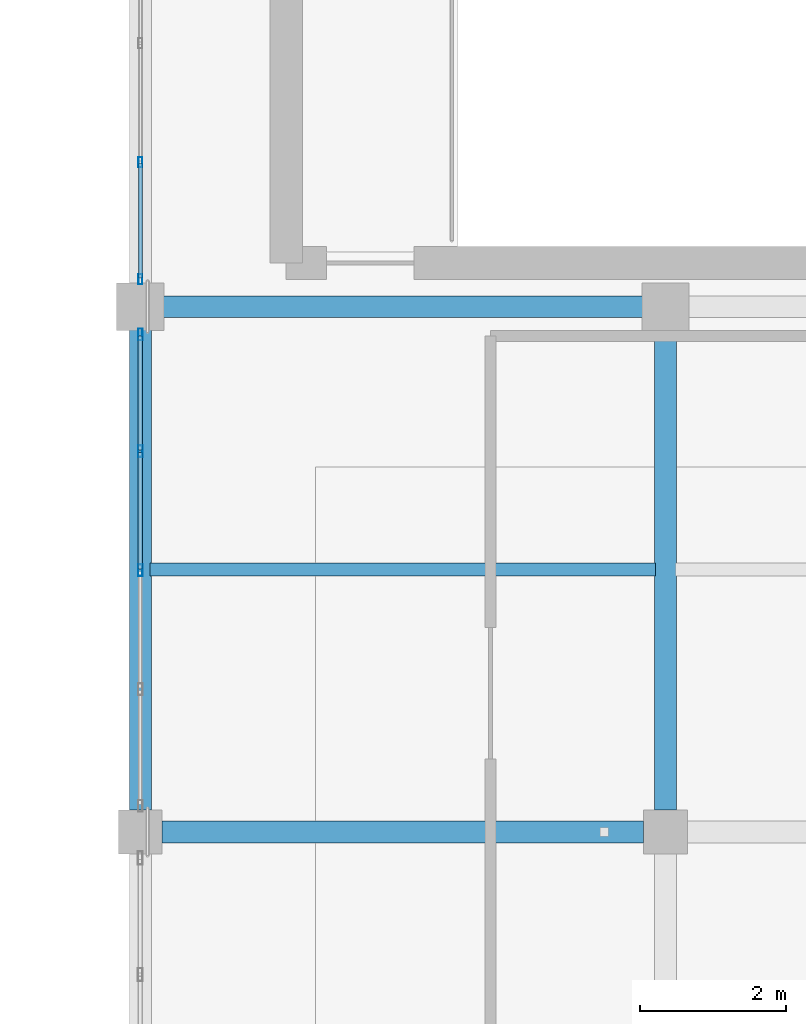
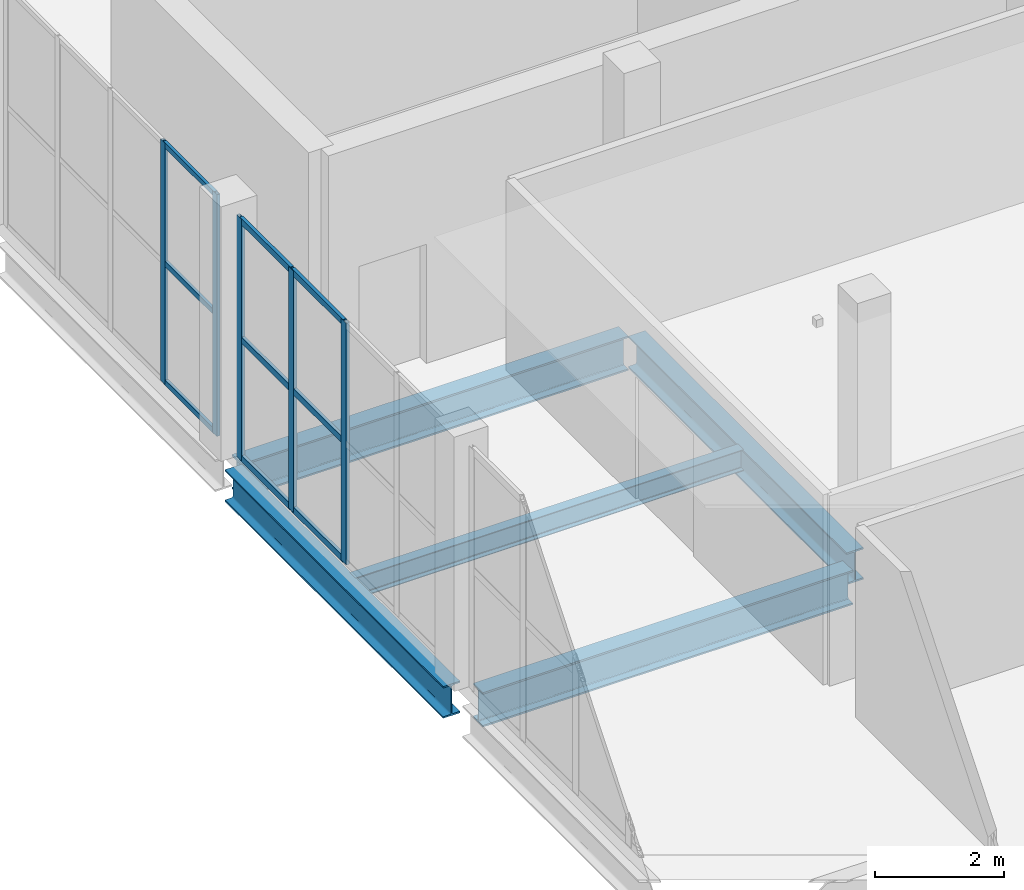
# One storey, part 61 of 105: 14 members, 5 beams, 2 elements without a shape of their own.
"""IFC4 building model written with IfcOpenShell, lengths in metres."""

from ifc_helpers import new_model, si_unit, direction, frame, origin, origin_2d, place, context, subcontext, project, spatial, hollow_rectangle, i_section, extrude, material, material_profile, profile_set, type_object, element, aggregate, save


model = new_model("IFC4")

# Units and contexts
model_context = context("Model", 3, precision=1e-05, world=origin(), true_north=direction((0.0, 1.0)))
body_context = subcontext(model_context, "Body", "Model", "MODEL_VIEW")
ifc_project = project(units=[si_unit("LENGTHUNIT", "METRE"), si_unit("AREAUNIT", "SQUARE_METRE"), si_unit("VOLUMEUNIT", "CUBIC_METRE"), si_unit("PLANEANGLEUNIT", "RADIAN"), si_unit("MASSUNIT", "GRAM", prefix="KILO")], contexts=[model_context])

# Site, building, storey
site_placement = place(None, origin())
site = spatial("IfcSite", under=ifc_project, at=site_placement, CompositionType="ELEMENT")
building_placement = place(site_placement, origin())
building = spatial("IfcBuilding", under=site, at=building_placement, Name="Qandorah Velis Arena", CompositionType="ELEMENT")
storey_placement = place(building_placement, frame((0.0, 0.0, 13.800048828125)))
storey = spatial("IfcBuildingStorey", under=building, at=storey_placement, Name="L03", CompositionType="ELEMENT", Elevation=13.800048828125)

# Curtain wall, members
ifc_material_1 = material(Name="Solar-control low-E double glazing", Category="glass")
curtain_wall_type_1 = type_object("IfcCurtainWallType", Name="ARC-CW-SYS12", PredefinedType="USERDEFINED", material=ifc_material_1)
curtain_wall_1_placement = place(storey_placement, origin())
curtain_wall_1 = element("IfcCurtainWall", 1, at=curtain_wall_1_placement, inside=storey, type_object=curtain_wall_type_1, Name="Unitised curtain wall L03-132", ObjectType="UNITISED CURTAIN WALL", PredefinedType="USERDEFINED")
ifc_material_2 = material(Name="Champagne-bronze anodized aluminium 6063-T6", Category="aluminium")
ifc_material_profile_1 = material_profile(ifc_material_2, hollow_rectangle(XDim=0.054931640625, YDim=0.139892578125, WallThickness=0.0029296875, at=origin_2d()), Name="ALU MULLION 55x140")
ifc_profile_set_1 = profile_set([ifc_material_profile_1], Name="Champagne-bronze anodized aluminium 6063-T6")
member_type_1 = type_object("IfcMemberType", Name="ARC-CWM-140", PredefinedType="MULLION", material=ifc_profile_set_1)
member_1_placement = place(storey_placement, frame((151.199951171875, 79.577392578125, -0.01513671875), z_axis=(0.0, 0.0, 1.0), x_axis=(-1.0, 0.0, 0.0)))
member_1 = element("IfcMember", 2, at=member_1_placement, type_object=member_type_1, Name="CW12 mullion 1", PredefinedType="MULLION", context=body_context, shape_type="SweptSolid", body=[
    extrude(hollow_rectangle(XDim=0.054931640625, YDim=0.139892578125, WallThickness=0.0029296875, at=origin_2d()), origin(), (0.0, 0.0, 1.0), 4.56005859375),
])
member_2_placement = place(storey_placement, frame((151.199951171875, 81.18115234375, -0.01513671875), z_axis=(0.0, 0.0, 1.0), x_axis=(-1.0, 0.0, 0.0)))
member_2 = element("IfcMember", 3, at=member_2_placement, type_object=member_type_1, Name="CW12 mullion 2", PredefinedType="MULLION", context=body_context, shape_type="SweptSolid", body=[
    extrude(hollow_rectangle(XDim=0.054931640625, YDim=0.139892578125, WallThickness=0.0029296875, at=origin_2d()), origin(), (0.0, 0.0, 1.0), 4.56005859375),
])

curtain_wall_type_2 = type_object("IfcCurtainWallType", Name="ARC-CW-SYS11", PredefinedType="USERDEFINED", material=ifc_material_1)
curtain_wall_2_placement = place(storey_placement, origin())
curtain_wall_2 = element("IfcCurtainWall", 4, at=curtain_wall_2_placement, inside=storey, type_object=curtain_wall_type_2, Name="Unitised curtain wall L03-131", ObjectType="UNITISED CURTAIN WALL", PredefinedType="USERDEFINED")
ifc_material_profile_2 = material_profile(ifc_material_2, hollow_rectangle(XDim=0.06005859375, YDim=0.159912109375, WallThickness=0.00341796875, at=origin_2d()), Name="ALU MULLION 60x160")
ifc_profile_set_2 = profile_set([ifc_material_profile_2], Name="Champagne-bronze anodized aluminium 6063-T6")
member_type_2 = type_object("IfcMemberType", Name="ARC-CWM-160", PredefinedType="MULLION", material=ifc_profile_set_2)
member_3_placement = place(storey_placement, frame((151.199951171875, 75.58740234375, -0.01513671875), z_axis=(0.0, 0.0, 1.0), x_axis=(-1.0, 0.0, 0.0)))
member_3 = element("IfcMember", 5, at=member_3_placement, type_object=member_type_2, Name="CW11 mullion 3", PredefinedType="MULLION", context=body_context, shape_type="SweptSolid", body=[
    extrude(hollow_rectangle(XDim=0.06005859375, YDim=0.159912109375, WallThickness=0.00341796875, at=origin_2d()), origin(), (0.0, 0.0, 1.0), 4.56005859375),
])
member_4_placement = place(storey_placement, frame((151.199951171875, 77.21875, -0.01513671875), z_axis=(0.0, 0.0, 1.0), x_axis=(-1.0, 0.0, 0.0)))
member_4 = element("IfcMember", 6, at=member_4_placement, type_object=member_type_2, Name="CW11 mullion 4", PredefinedType="MULLION", context=body_context, shape_type="SweptSolid", body=[
    extrude(hollow_rectangle(XDim=0.06005859375, YDim=0.159912109375, WallThickness=0.00341796875, at=origin_2d()), origin(), (0.0, 0.0, 1.0), 4.56005859375),
])
member_5_placement = place(storey_placement, frame((151.199951171875, 78.820068359375, -0.01513671875), z_axis=(0.0, 0.0, 1.0), x_axis=(-1.0, 0.0, 0.0)))
member_5 = element("IfcMember", 7, at=member_5_placement, type_object=member_type_2, Name="CW11 mullion 5", PredefinedType="MULLION", context=body_context, shape_type="SweptSolid", body=[
    extrude(hollow_rectangle(XDim=0.06005859375, YDim=0.159912109375, WallThickness=0.00341796875, at=origin_2d()), origin(), (0.0, 0.0, 1.0), 4.56005859375),
])

# Member
ifc_material_profile_3 = material_profile(ifc_material_2, hollow_rectangle(XDim=0.054931640625, YDim=0.10009765625, WallThickness=0.0029296875, at=origin_2d()), Name="ALU TRANSOM 55x100")
ifc_profile_set_3 = profile_set([ifc_material_profile_3], Name="Champagne-bronze anodized aluminium 6063-T6")
member_type_3 = type_object("IfcMemberType", Name="ARC-CWT-100", PredefinedType="USERDEFINED", material=ifc_profile_set_3)
member_6_placement = place(storey_placement, frame((151.199951171875, 79.593017578125, 0.02734375), z_axis=(0.0, 1.0, 0.0), x_axis=(-1.0, 0.0, 0.0)))
member_6 = element("IfcMember", 8, at=member_6_placement, type_object=member_type_3, Name="CW12 transom 1.1", ObjectType="TRANSOM", PredefinedType="USERDEFINED", context=body_context, shape_type="SweptSolid", body=[
    extrude(hollow_rectangle(XDim=0.054931640625, YDim=0.10009765625, WallThickness=0.0029296875, at=origin_2d()), origin(), (0.0, 0.0, 1.0), 1.57275390625),
])

member_7_placement = place(storey_placement, frame((151.199951171875, 79.593017578125, 2.264892578125), z_axis=(0.0, 1.0, 0.0), x_axis=(-1.0, 0.0, 0.0)))
member_7 = element("IfcMember", 9, at=member_7_placement, type_object=member_type_3, Name="CW12 transom 1.2", ObjectType="TRANSOM", PredefinedType="USERDEFINED", context=body_context, shape_type="SweptSolid", body=[
    extrude(hollow_rectangle(XDim=0.054931640625, YDim=0.10009765625, WallThickness=0.0029296875, at=origin_2d()), origin(), (0.0, 0.0, 1.0), 1.57275390625),
])

member_8_placement = place(storey_placement, frame((151.199951171875, 79.593017578125, 4.50244140625), z_axis=(0.0, 1.0, 0.0), x_axis=(-1.0, 0.0, 0.0)))
member_8 = element("IfcMember", 10, at=member_8_placement, type_object=member_type_3, Name="CW12 transom 1.3", ObjectType="TRANSOM", PredefinedType="USERDEFINED", context=body_context, shape_type="SweptSolid", body=[
    extrude(hollow_rectangle(XDim=0.054931640625, YDim=0.10009765625, WallThickness=0.0029296875, at=origin_2d()), origin(), (0.0, 0.0, 1.0), 1.57275390625),
])

aggregate(curtain_wall_1, [member_1, member_2, member_6, member_7, member_8])

ifc_material_profile_4 = material_profile(ifc_material_2, hollow_rectangle(XDim=0.06005859375, YDim=0.1201171875, WallThickness=0.0029296875, at=origin_2d()), Name="ALU TRANSOM 60x120")
ifc_profile_set_4 = profile_set([ifc_material_profile_4], Name="Champagne-bronze anodized aluminium 6063-T6")
member_type_4 = type_object("IfcMemberType", Name="ARC-CWT-120", PredefinedType="USERDEFINED", material=ifc_profile_set_4)
member_9_placement = place(storey_placement, frame((151.199951171875, 75.60546875, 0.030029296875), z_axis=(0.0, 1.0, 0.0), x_axis=(-1.0, 0.0, 0.0)))
member_9 = element("IfcMember", 11, at=member_9_placement, type_object=member_type_4, Name="CW11 transom 3.1", ObjectType="TRANSOM", PredefinedType="USERDEFINED", context=body_context, shape_type="SweptSolid", body=[
    extrude(hollow_rectangle(XDim=0.06005859375, YDim=0.1201171875, WallThickness=0.0029296875, at=origin_2d()), origin(), (0.0, 0.0, 1.0), 1.59521484375),
])

member_10_placement = place(storey_placement, frame((151.199951171875, 75.60546875, 2.264892578125), z_axis=(0.0, 1.0, 0.0), x_axis=(-1.0, 0.0, 0.0)))
member_10 = element("IfcMember", 12, at=member_10_placement, type_object=member_type_4, Name="CW11 transom 3.2", ObjectType="TRANSOM", PredefinedType="USERDEFINED", context=body_context, shape_type="SweptSolid", body=[
    extrude(hollow_rectangle(XDim=0.06005859375, YDim=0.1201171875, WallThickness=0.0029296875, at=origin_2d()), origin(), (0.0, 0.0, 1.0), 1.59521484375),
])

member_11_placement = place(storey_placement, frame((151.199951171875, 75.60546875, 4.5), z_axis=(0.0, 1.0, 0.0), x_axis=(-1.0, 0.0, 0.0)))
member_11 = element("IfcMember", 13, at=member_11_placement, type_object=member_type_4, Name="CW11 transom 3.3", ObjectType="TRANSOM", PredefinedType="USERDEFINED", context=body_context, shape_type="SweptSolid", body=[
    extrude(hollow_rectangle(XDim=0.06005859375, YDim=0.1201171875, WallThickness=0.0029296875, at=origin_2d()), origin(), (0.0, 0.0, 1.0), 1.59521484375),
])

member_12_placement = place(storey_placement, frame((151.199951171875, 77.23681640625, 0.030029296875), z_axis=(0.0, 1.0, 0.0), x_axis=(-1.0, 0.0, 0.0)))
member_12 = element("IfcMember", 14, at=member_12_placement, type_object=member_type_4, Name="CW11 transom 4.1", ObjectType="TRANSOM", PredefinedType="USERDEFINED", context=body_context, shape_type="SweptSolid", body=[
    extrude(hollow_rectangle(XDim=0.06005859375, YDim=0.1201171875, WallThickness=0.0029296875, at=origin_2d()), origin(), (0.0, 0.0, 1.0), 1.565185546875),
])

member_13_placement = place(storey_placement, frame((151.199951171875, 77.23681640625, 2.264892578125), z_axis=(0.0, 1.0, 0.0), x_axis=(-1.0, 0.0, 0.0)))
member_13 = element("IfcMember", 15, at=member_13_placement, type_object=member_type_4, Name="CW11 transom 4.2", ObjectType="TRANSOM", PredefinedType="USERDEFINED", context=body_context, shape_type="SweptSolid", body=[
    extrude(hollow_rectangle(XDim=0.06005859375, YDim=0.1201171875, WallThickness=0.0029296875, at=origin_2d()), origin(), (0.0, 0.0, 1.0), 1.565185546875),
])

member_14_placement = place(storey_placement, frame((151.199951171875, 77.23681640625, 4.5), z_axis=(0.0, 1.0, 0.0), x_axis=(-1.0, 0.0, 0.0)))
member_14 = element("IfcMember", 16, at=member_14_placement, type_object=member_type_4, Name="CW11 transom 4.3", ObjectType="TRANSOM", PredefinedType="USERDEFINED", context=body_context, shape_type="SweptSolid", body=[
    extrude(hollow_rectangle(XDim=0.06005859375, YDim=0.1201171875, WallThickness=0.0029296875, at=origin_2d()), origin(), (0.0, 0.0, 1.0), 1.565185546875),
])

aggregate(curtain_wall_2, [member_3, member_4, member_5, member_9, member_10, member_11, member_12, member_13, member_14])

# Beams
ifc_material_3 = material(Name="Steel S355", Category="steel")
ifc_material_profile_5 = material_profile(ifc_material_3, i_section(OverallWidth=0.300048828125, OverallDepth=0.60009765625, WebThickness=0.015380859375, FlangeThickness=0.030029296875, FilletRadius=0.027099609375, at=origin_2d()), Name="HEB 600")
ifc_profile_set_5 = profile_set([ifc_material_profile_5], Name="Steel S355")
beam_type_1 = type_object("IfcBeamType", Name="STR-BM-HEB600", PredefinedType="BEAM", material=ifc_profile_set_5)
for number, where, z_axis, x_axis, name in (
    (17, (151.199951171875, 72.300048828125, -0.6201171875), (0.0, 1.0, 0.0), (-1.0, 0.0, 0.0), "Primary floor girder L03 Y-330"),
    (18, (158.39990234375, 72.300048828125, -0.6201171875), (0.0, 1.0, 0.0), (-1.0, 0.0, 0.0), "Primary floor girder L03 Y-334"),
):
    element("IfcBeam", number, at=place(storey_placement, frame(where, z_axis=z_axis, x_axis=x_axis)), inside=storey, type_object=beam_type_1, Name=name, PredefinedType="BEAM", context=body_context, shape_type="SweptSolid", body=[
        extrude(i_section(OverallWidth=0.300048828125, OverallDepth=0.60009765625, WebThickness=0.015380859375, FlangeThickness=0.030029296875, FilletRadius=0.027099609375, at=origin_2d()), origin(), (0.0, 0.0, 1.0), 6.75),
    ])
ifc_material_profile_6 = material_profile(ifc_material_3, i_section(OverallWidth=0.300048828125, OverallDepth=0.64990234375, WebThickness=0.01611328125, FlangeThickness=0.031005859375, FilletRadius=0.027099609375, at=origin_2d()), Name="HEB 650")
ifc_profile_set_6 = profile_set([ifc_material_profile_6], Name="Steel S355")
beam_type_2 = type_object("IfcBeamType", Name="STR-BM-HEB650", PredefinedType="BEAM", material=ifc_profile_set_6)
beam_1_placement = place(storey_placement, frame((151.5, 72.0, -0.64501953125), z_axis=(1.0, 0.0, 0.0), x_axis=(0.0, 1.0, 0.0)))
element("IfcBeam", 19, at=beam_1_placement, inside=storey, type_object=beam_type_2, Name="Primary floor girder L03 X-098", PredefinedType="BEAM", context=body_context, shape_type="SweptSolid", body=[
    extrude(i_section(OverallWidth=0.300048828125, OverallDepth=0.64990234375, WebThickness=0.01611328125, FlangeThickness=0.031005859375, FilletRadius=0.027099609375, at=origin_2d()), origin(), (0.0, 0.0, 1.0), 6.60009765625),
])
beam_2_placement = place(storey_placement, frame((151.35009765625, 79.199951171875, -0.64501953125), z_axis=(1.0, 0.0, 0.0), x_axis=(0.0, 1.0, 0.0)))
element("IfcBeam", 20, at=beam_2_placement, inside=storey, type_object=beam_type_2, Name="Primary floor girder L03 X-103", PredefinedType="BEAM", context=body_context, shape_type="SweptSolid", body=[
    extrude(i_section(OverallWidth=0.300048828125, OverallDepth=0.64990234375, WebThickness=0.01611328125, FlangeThickness=0.031005859375, FilletRadius=0.027099609375, at=origin_2d()), origin(), (0.0, 0.0, 1.0), 6.89990234375),
])
ifc_material_profile_7 = material_profile(ifc_material_3, i_section(OverallWidth=0.179931640625, OverallDepth=0.39990234375, WebThickness=0.008544921875, FlangeThickness=0.013427734375, FilletRadius=0.02099609375, at=origin_2d()), Name="IPE 400")
ifc_profile_set_7 = profile_set([ifc_material_profile_7], Name="Steel S355")
beam_type_3 = type_object("IfcBeamType", Name="STR-JST-IPE400", PredefinedType="JOIST", material=ifc_profile_set_7)
beam_3_placement = place(storey_placement, frame((151.3349609375, 75.60009765625, -0.52001953125), z_axis=(1.0, 0.0, 0.0), x_axis=(0.0, 1.0, 0.0)))
element("IfcBeam", 21, at=beam_3_placement, inside=storey, type_object=beam_type_3, Name="Secondary floor joist L03-100", PredefinedType="JOIST", context=body_context, shape_type="SweptSolid", body=[
    extrude(i_section(OverallWidth=0.179931640625, OverallDepth=0.39990234375, WebThickness=0.008544921875, FlangeThickness=0.013427734375, FilletRadius=0.02099609375, at=origin_2d()), origin(), (0.0, 0.0, 1.0), 6.929931640625),
])

save(model, "model.ifc")
